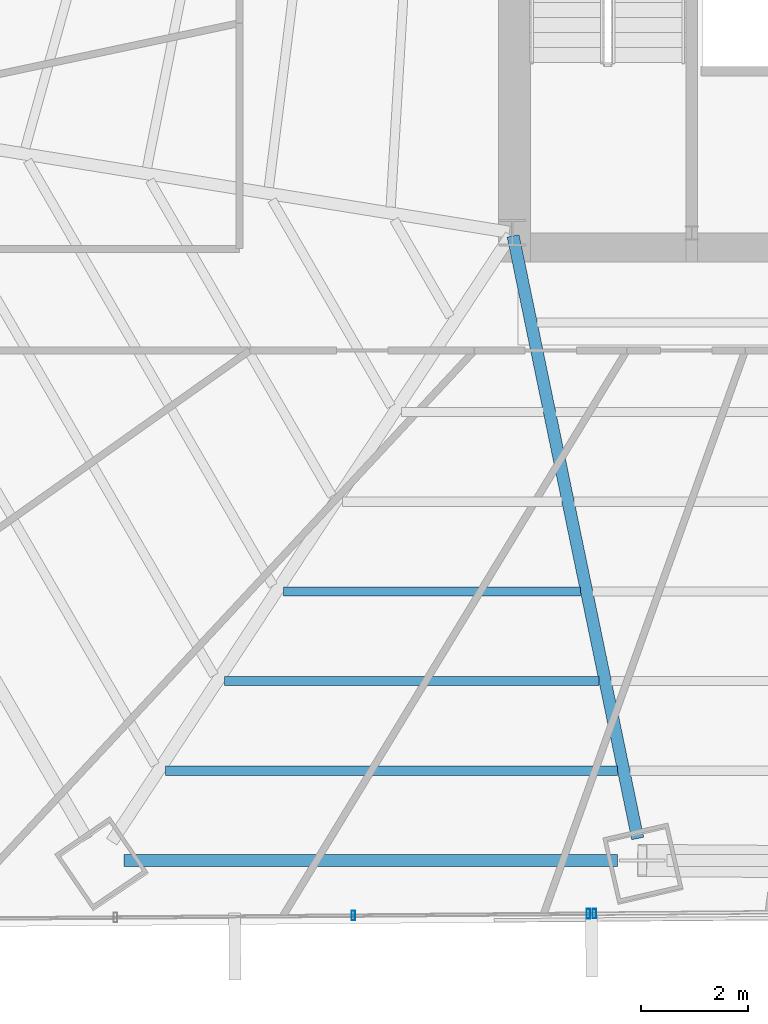
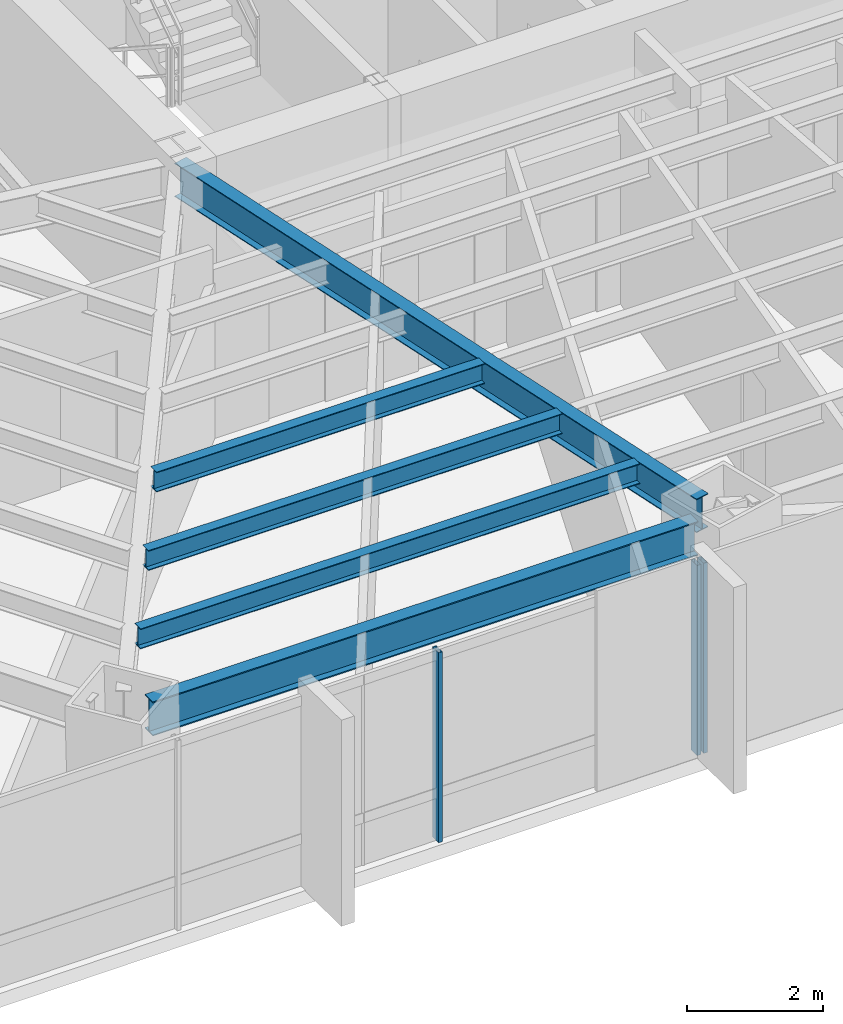
# One storey, part 8 of 38: 5 beams, 3 members, 2 elements without a shape of their own.
"""IFC4 building model written with IfcOpenShell, lengths in metres."""

from ifc_helpers import new_model, si_unit, direction, frame, origin, origin_2d, place, context, subcontext, project, spatial, hollow_rectangle, i_section, extrude, source, transform, mapped, material, material_profile, profile_set, type_object, type_shapes, element, aggregate, save


model = new_model("IFC4")

# Units and contexts
model_context = context("Model", 3, precision=1e-05, world=origin(), true_north=direction((0.0, 1.0)))
body_context = subcontext(model_context, "Body", "Model", "MODEL_VIEW")
ifc_project = project(units=[si_unit("LENGTHUNIT", "METRE"), si_unit("AREAUNIT", "SQUARE_METRE"), si_unit("VOLUMEUNIT", "CUBIC_METRE"), si_unit("PLANEANGLEUNIT", "RADIAN"), si_unit("MASSUNIT", "GRAM", prefix="KILO")], contexts=[model_context])

# Site, building, storey
site_placement = place(None, origin())
site = spatial("IfcSite", under=ifc_project, at=site_placement, CompositionType="ELEMENT")
building_placement = place(site_placement, origin())
building = spatial("IfcBuilding", under=site, at=building_placement, Name="Caelisora Broadcast Tower", CompositionType="ELEMENT")
storey_placement = place(building_placement, frame((0.0, 0.0, 67.75)))
storey = spatial("IfcBuildingStorey", under=building, at=storey_placement, Name="L17", CompositionType="ELEMENT", Elevation=67.75)

# Beams
ifc_material_1 = material(Name="Steel Grade 350 (AS/NZS 3679.1)", Category="steel")
ifc_material_profile_1 = material_profile(ifc_material_1, i_section(OverallWidth=0.22900390625, OverallDepth=0.611572265625, WebThickness=0.011962890625, FlangeThickness=0.01953125, at=origin_2d()), Name="Steel Grade 350 (AS/NZS 3679.1)")
ifc_profile_set_1 = profile_set([ifc_material_profile_1], Name="Steel Grade 350 (AS/NZS 3679.1)")
beam_type_1 = type_object("IfcBeamType", Name="PG03", PredefinedType="BEAM", material=ifc_profile_set_1)
shared_shape_1 = source(origin(), body_context, "Body", "SweptSolid", [
    extrude(i_section(OverallWidth=0.22900390625, OverallDepth=0.611572265625, WebThickness=0.011962890625, FlangeThickness=0.01953125, at=origin_2d()), origin(), (0.0, 0.0, 1.0), 9.22802734375),
])
type_shapes(beam_type_1, [shared_shape_1])
beam_1_placement = place(storey_placement, frame((23.23779296875, 5.66748046875, 3.09423828125), z_axis=(1.0, 0.0, 0.0), x_axis=(0.0, 1.0, 0.0)))
element("IfcBeam", 1, at=beam_1_placement, inside=storey, type_object=beam_type_1, Name="L17 beam PG03", PredefinedType="BEAM", context=body_context, shape_type="MappedRepresentation", body=[
    mapped(shared_shape_1, transform((0.0, 0.0, 0.0), scale=1.0)),
])
ifc_material_profile_2 = material_profile(ifc_material_1, i_section(OverallWidth=0.22802734375, OverallDepth=0.602294921875, WebThickness=0.010498046875, FlangeThickness=0.014892578125, at=origin_2d()), Name="Steel Grade 350 (AS/NZS 3679.1)")
ifc_profile_set_2 = profile_set([ifc_material_profile_2], Name="Steel Grade 350 (AS/NZS 3679.1)")
beam_type_2 = type_object("IfcBeamType", Name="PG04", PredefinedType="BEAM", material=ifc_profile_set_2)
shared_shape_2 = source(origin(), body_context, "Body", "SweptSolid", [
    extrude(i_section(OverallWidth=0.22802734375, OverallDepth=0.602294921875, WebThickness=0.010498046875, FlangeThickness=0.014892578125, at=origin_2d()), origin(), (0.0, 0.0, 1.0), 11.500732421875),
])
type_shapes(beam_type_2, [shared_shape_2])
beam_2_placement = place(storey_placement, frame((30.51220703125, 17.34130859375, 3.098876953125), z_axis=(0.202476440676, -0.979287134078, 0.0), x_axis=(0.979287134078, 0.202476440676, 0.0)))
element("IfcBeam", 2, at=beam_2_placement, inside=storey, type_object=beam_type_2, Name="L17 beam PG04", PredefinedType="BEAM", context=body_context, shape_type="MappedRepresentation", body=[
    mapped(shared_shape_2, transform((0.0, 0.0, 0.0), scale=1.0)),
])
ifc_material_profile_3 = material_profile(ifc_material_1, i_section(OverallWidth=0.172119140625, OverallDepth=0.358642578125, WebThickness=0.008056640625, FlangeThickness=0.012939453125, at=origin_2d()), Name="Steel Grade 350 (AS/NZS 3679.1)")
ifc_profile_set_3 = profile_set([ifc_material_profile_3], Name="Steel Grade 350 (AS/NZS 3679.1)")
beam_type_3 = type_object("IfcBeamType", Name="SB02", PredefinedType="JOIST", material=ifc_profile_set_3)
shared_shape_3 = source(origin(), body_context, "Body", "SweptSolid", [
    extrude(i_section(OverallWidth=0.172119140625, OverallDepth=0.358642578125, WebThickness=0.008056640625, FlangeThickness=0.012939453125, at=origin_2d()), origin(), (0.0, 0.0, 1.0), 5.552001953125),
])
beam_3_placement = place(storey_placement, frame((26.220703125, 10.69580078125, 3.220703125), z_axis=(1.0, 0.0, 0.0), x_axis=(0.0, 1.0, 0.0)))
element("IfcBeam", 3, at=beam_3_placement, inside=storey, type_object=beam_type_3, Name="L17 beam SB02", PredefinedType="JOIST", context=body_context, shape_type="MappedRepresentation", body=[
    mapped(shared_shape_3, transform((0.0, 0.0, 0.0), scale=1.0)),
])
shared_shape_4 = source(origin(), body_context, "Body", "SweptSolid", [
    extrude(i_section(OverallWidth=0.172119140625, OverallDepth=0.358642578125, WebThickness=0.008056640625, FlangeThickness=0.012939453125, at=origin_2d()), origin(), (0.0, 0.0, 1.0), 7.001708984375),
])
beam_4_placement = place(storey_placement, frame((25.11767578125, 9.019775390625, 3.220703125), z_axis=(1.0, 0.0, 0.0), x_axis=(0.0, 1.0, 0.0)))
element("IfcBeam", 4, at=beam_4_placement, inside=storey, type_object=beam_type_3, Name="L17 beam SB02", PredefinedType="JOIST", context=body_context, shape_type="MappedRepresentation", body=[
    mapped(shared_shape_4, transform((0.0, 0.0, 0.0), scale=1.0)),
])
shared_shape_5 = source(origin(), body_context, "Body", "SweptSolid", [
    extrude(i_section(OverallWidth=0.172119140625, OverallDepth=0.358642578125, WebThickness=0.008056640625, FlangeThickness=0.012939453125, at=origin_2d()), origin(), (0.0, 0.0, 1.0), 8.451416015625),
])
type_shapes(beam_type_3, [shared_shape_3, shared_shape_4, shared_shape_5])
beam_5_placement = place(storey_placement, frame((24.014404296875, 7.34375, 3.220703125), z_axis=(1.0, 0.0, 0.0), x_axis=(0.0, 1.0, 0.0)))
element("IfcBeam", 5, at=beam_5_placement, inside=storey, type_object=beam_type_3, Name="L17 beam SB02", PredefinedType="JOIST", context=body_context, shape_type="MappedRepresentation", body=[
    mapped(shared_shape_5, transform((0.0, 0.0, 0.0), scale=1.0)),
])

# Curtain wall, member
ifc_material_2 = material(Name="Unitised Aluminium Insulated Shadow-Box Spandrel Curtain Wall", Category="aluminium")
curtain_wall_type_1 = type_object("IfcCurtainWallType", Name="CW-SP1", PredefinedType="NOTDEFINED", material=ifc_material_2)
curtain_wall_1_placement = place(storey_placement, origin())
curtain_wall_1 = element("IfcCurtainWall", 6, at=curtain_wall_1_placement, inside=storey, type_object=curtain_wall_type_1, Name="L17 curtain wall CW-SP1", PredefinedType="NOTDEFINED")
ifc_material_3 = material(Name="Aluminium 6063-T6 Anodised Terracotta Bronze", Category="aluminium")
ifc_material_profile_4 = material_profile(ifc_material_3, hollow_rectangle(XDim=0.06494140625, YDim=0.179931640625, WallThickness=0.00341796875, at=origin_2d()), Name="Aluminium 6063-T6 Anodised Terracotta Bronze")
ifc_profile_set_4 = profile_set([ifc_material_profile_4], Name="Aluminium 6063-T6 Anodised Terracotta Bronze")
member_type = type_object("IfcMemberType", Name="CWM-02", PredefinedType="MULLION", material=ifc_profile_set_4)
shared_shape_6 = source(origin(), body_context, "Body", "SweptSolid", [
    extrude(hollow_rectangle(XDim=0.06494140625, YDim=0.179931640625, WallThickness=0.00341796875, at=origin_2d()), origin(), (0.0, 0.0, 1.0), 3.39990234375),
])
type_shapes(member_type, [shared_shape_6])
member_1_placement = place(storey_placement, frame((32.02978515625, 4.673095703125, 0.0), z_axis=(0.0, 0.0, 1.0), x_axis=(1.0, 0.0, 0.0)))
member_1 = element("IfcMember", 7, at=member_1_placement, type_object=member_type, Name="L17-CW-B06 mullion #3", PredefinedType="MULLION", context=body_context, shape_type="MappedRepresentation", body=[
    mapped(shared_shape_6, transform((0.0, 0.0, 0.0), scale=1.0)),
])
aggregate(curtain_wall_1, [member_1])

# Curtain wall, members
ifc_material_4 = material(Name="Unitised Aluminium and Low-E Glass Curtain Wall", Category="glass")
curtain_wall_type_2 = type_object("IfcCurtainWallType", Name="CW-Z1", PredefinedType="NOTDEFINED", material=ifc_material_4)
curtain_wall_2_placement = place(storey_placement, origin())
curtain_wall_2 = element("IfcCurtainWall", 8, at=curtain_wall_2_placement, inside=storey, type_object=curtain_wall_type_2, Name="L17 curtain wall CW-Z1", PredefinedType="NOTDEFINED")
member_2_placement = place(storey_placement, frame((31.919677734375, 4.67236328125, 0.0), z_axis=(0.0, 0.0, 1.0), x_axis=(1.0, 0.0, 0.0)))
member_2 = element("IfcMember", 9, at=member_2_placement, type_object=member_type, Name="L17-CW-B07 mullion #0", PredefinedType="MULLION", context=body_context, shape_type="MappedRepresentation", body=[
    mapped(shared_shape_6, transform((0.0, 0.0, 0.0), scale=1.0)),
])
member_3_placement = place(storey_placement, frame((27.525146484375, 4.63720703125, 0.0), z_axis=(0.0, 0.0, 1.0), x_axis=(1.0, 0.0, 0.0)))
member_3 = element("IfcMember", 10, at=member_3_placement, type_object=member_type, Name="L17-CW-B07 mullion #1", PredefinedType="MULLION", context=body_context, shape_type="MappedRepresentation", body=[
    mapped(shared_shape_6, transform((0.0, 0.0, 0.0), scale=1.0)),
])
aggregate(curtain_wall_2, [member_2, member_3])

save(model, "model.ifc")
